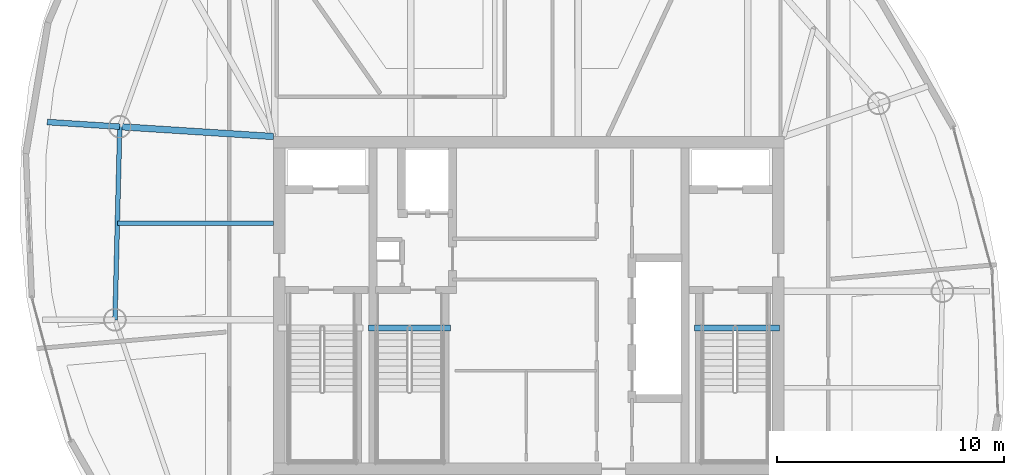
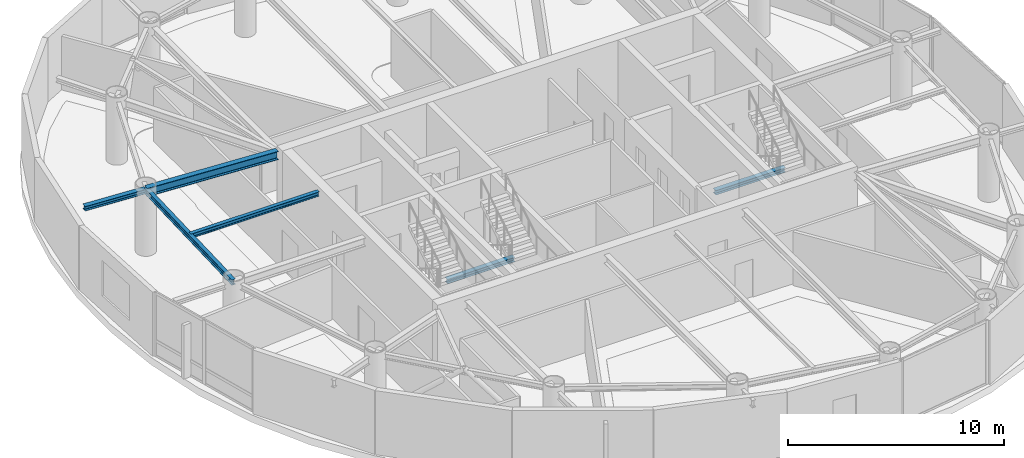
# One storey, part 7 of 20: 6 beams.
"""IFC4 building model written with IfcOpenShell, lengths in metres."""

from ifc_helpers import new_model, si_unit, direction, frame, origin, origin_2d, place, context, subcontext, project, spatial, i_section, extrude, material, material_profile, profile_set, type_object, element, save


model = new_model("IFC4")

# Units and contexts
model_context = context("Model", 3, precision=1e-05, world=origin(), true_north=direction((0.0, 1.0)))
body_context = subcontext(model_context, "Body", "Model", "MODEL_VIEW")
ifc_project = project(units=[si_unit("LENGTHUNIT", "METRE"), si_unit("AREAUNIT", "SQUARE_METRE"), si_unit("VOLUMEUNIT", "CUBIC_METRE"), si_unit("PLANEANGLEUNIT", "RADIAN"), si_unit("MASSUNIT", "GRAM", prefix="KILO")], contexts=[model_context])

# Site, building, storey
site_placement = place(None, origin())
site = spatial("IfcSite", under=ifc_project, at=site_placement, CompositionType="ELEMENT")
building_placement = place(site_placement, origin())
building = spatial("IfcBuilding", under=site, at=building_placement, Name="Bramvorn Convention Spire", CompositionType="ELEMENT")
storey_placement = place(building_placement, frame((0.0, 0.0, 242.050048828125)))
storey = spatial("IfcBuildingStorey", under=building, at=storey_placement, Name="L61", CompositionType="ELEMENT", Elevation=242.050048828125)

# Beams
ifc_material = material(Name="Steel CSA G40.21 Grade 350 (350W)", Category="steel")
ifc_material_profile_1 = material_profile(ifc_material, i_section(OverallWidth=0.201904296875, OverallDepth=0.2470703125, WebThickness=0.00732421875, FlangeThickness=0.010986328125, FilletRadius=0.011962890625, at=origin_2d()))
ifc_profile_set_1 = profile_set([ifc_material_profile_1], Name="Steel CSA G40.21 Grade 350 (350W) - W250X49")
beam_type_1 = type_object("IfcBeamType", Name="BM-W250X49", PredefinedType="JOIST", material=ifc_profile_set_1)
beam_1_placement = place(storey_placement, frame((26.75, 29.626953125, 3.50146484375), z_axis=(-1.0, 0.0, 0.0), x_axis=(0.0, -1.0, 0.0)))
element("IfcBeam", 1, at=beam_1_placement, inside=storey, type_object=beam_type_1, Name="L61 composite floor joist 11", PredefinedType="JOIST", context=body_context, shape_type="SweptSolid", body=[
    extrude(i_section(OverallWidth=0.201904296875, OverallDepth=0.2470703125, WebThickness=0.00732421875, FlangeThickness=0.010986328125, FilletRadius=0.011962890625, at=origin_2d()), origin(), (0.0, 0.0, 1.0), 6.879150390625),
])
ifc_material_profile_2 = material_profile(ifc_material, i_section(OverallWidth=0.25390625, OverallDepth=0.2529296875, WebThickness=0.008544921875, FlangeThickness=0.01416015625, FilletRadius=0.011962890625, at=origin_2d()))
ifc_profile_set_2 = profile_set([ifc_material_profile_2], Name="Steel CSA G40.21 Grade 350 (350W) - W250X73")
beam_type_2 = type_object("IfcBeamType", Name="BM-W250X73", PredefinedType="BEAM", material=ifc_profile_set_2)
beam_2_placement = place(storey_placement, frame((19.976318359375, 33.883544921875, 3.45849609375), z_axis=(-0.997959164695, 0.063855349044, 0.0), x_axis=(-0.063855349044, -0.997959164695, 0.0)))
element("IfcBeam", 2, at=beam_2_placement, inside=storey, type_object=beam_type_2, Name="L61 slab-edge cantilever tip beam MC11", PredefinedType="BEAM", context=body_context, shape_type="SweptSolid", body=[
    extrude(i_section(OverallWidth=0.25390625, OverallDepth=0.2529296875, WebThickness=0.008544921875, FlangeThickness=0.01416015625, FilletRadius=0.011962890625, at=origin_2d()), origin(), (0.0, 0.0, 1.0), 3.2001953125),
])
beam_3_placement = place(storey_placement, frame((45.31005859375, 25.010009765625, -0.12646484375), z_axis=(1.0, 0.0, 0.0), x_axis=(0.0, 1.0, 0.0)))
element("IfcBeam", 3, at=beam_3_placement, inside=storey, type_object=beam_type_2, Name="L61 ST2 stair arrival header beam", PredefinedType="BEAM", context=body_context, shape_type="SweptSolid", body=[
    extrude(i_section(OverallWidth=0.25390625, OverallDepth=0.2529296875, WebThickness=0.008544921875, FlangeThickness=0.01416015625, FilletRadius=0.011962890625, at=origin_2d()), origin(), (0.0, 0.0, 1.0), 3.739990234375),
])
beam_4_placement = place(storey_placement, frame((30.949951171875, 25.010009765625, -0.12646484375), z_axis=(1.0, 0.0, 0.0), x_axis=(0.0, 1.0, 0.0)))
element("IfcBeam", 4, at=beam_4_placement, inside=storey, type_object=beam_type_2, Name="L61 ST3 stair arrival header beam", PredefinedType="BEAM", context=body_context, shape_type="SweptSolid", body=[
    extrude(i_section(OverallWidth=0.25390625, OverallDepth=0.2529296875, WebThickness=0.008544921875, FlangeThickness=0.01416015625, FilletRadius=0.011962890625, at=origin_2d()), origin(), (0.0, 0.0, 1.0), 3.610107421875),
])
ifc_material_profile_3 = material_profile(ifc_material, i_section(OverallWidth=0.202880859375, OverallDepth=0.302978515625, WebThickness=0.007568359375, FlangeThickness=0.01318359375, FilletRadius=0.013916015625, at=origin_2d()))
ifc_profile_set_3 = profile_set([ifc_material_profile_3], Name="Steel CSA G40.21 Grade 350 (350W) - W310X60")
beam_type_3 = type_object("IfcBeamType", Name="BM-W310X60", PredefinedType="JOIST", material=ifc_profile_set_3)
beam_5_placement = place(storey_placement, frame((19.976318359375, 33.883544921875, 3.473388671875), z_axis=(-0.024770853371, -0.999693155335, 0.0), x_axis=(0.999693155335, -0.024770853371, 0.0)))
element("IfcBeam", 5, at=beam_5_placement, inside=storey, type_object=beam_type_3, Name="L61 mega-column ring beam 11", PredefinedType="JOIST", context=body_context, shape_type="SweptSolid", body=[
    extrude(i_section(OverallWidth=0.202880859375, OverallDepth=0.302978515625, WebThickness=0.007568359375, FlangeThickness=0.01318359375, FilletRadius=0.013916015625, at=origin_2d()), origin(), (0.0, 0.0, 1.0), 8.515625),
])
ifc_material_profile_4 = material_profile(ifc_material, i_section(OverallWidth=0.283935546875, OverallDepth=0.47607421875, WebThickness=0.014892578125, FlangeThickness=0.02392578125, FilletRadius=0.01806640625, at=origin_2d()))
ifc_profile_set_4 = profile_set([ifc_material_profile_4], Name="Steel CSA G40.21 Grade 350 (350W) - W460X158")
beam_type_4 = type_object("IfcBeamType", Name="BM-W460X158", PredefinedType="SPANDREL", material=ifc_profile_set_4)
beam_6_placement = place(storey_placement, frame((26.75, 33.449951171875, 3.386962890625), z_axis=(-0.997957536354, 0.063880792379, 0.0), x_axis=(-0.063880792379, -0.997957536354, 0.0)))
element("IfcBeam", 6, at=beam_6_placement, inside=storey, type_object=beam_type_4, Name="L61 radial floor girder MC11", PredefinedType="SPANDREL", context=body_context, shape_type="SweptSolid", body=[
    extrude(i_section(OverallWidth=0.283935546875, OverallDepth=0.47607421875, WebThickness=0.014892578125, FlangeThickness=0.02392578125, FilletRadius=0.01806640625, at=origin_2d()), origin(), (0.0, 0.0, 1.0), 6.78759765625),
])

save(model, "model.ifc")
